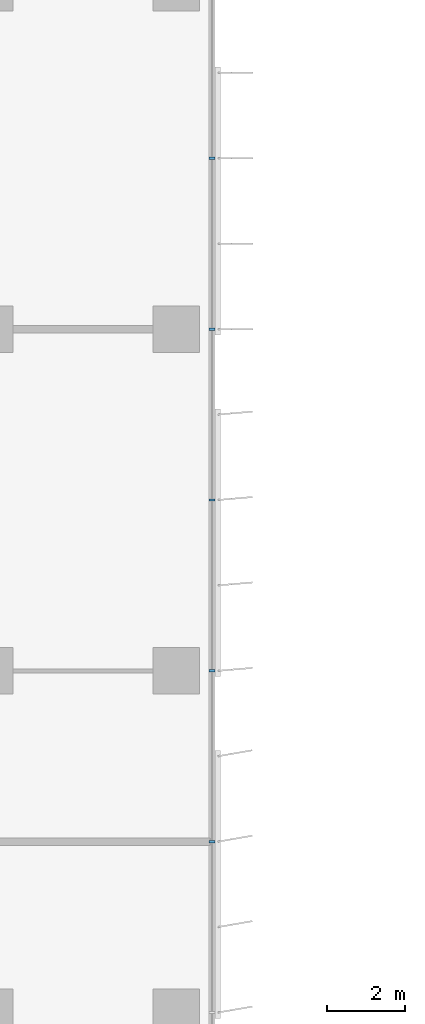
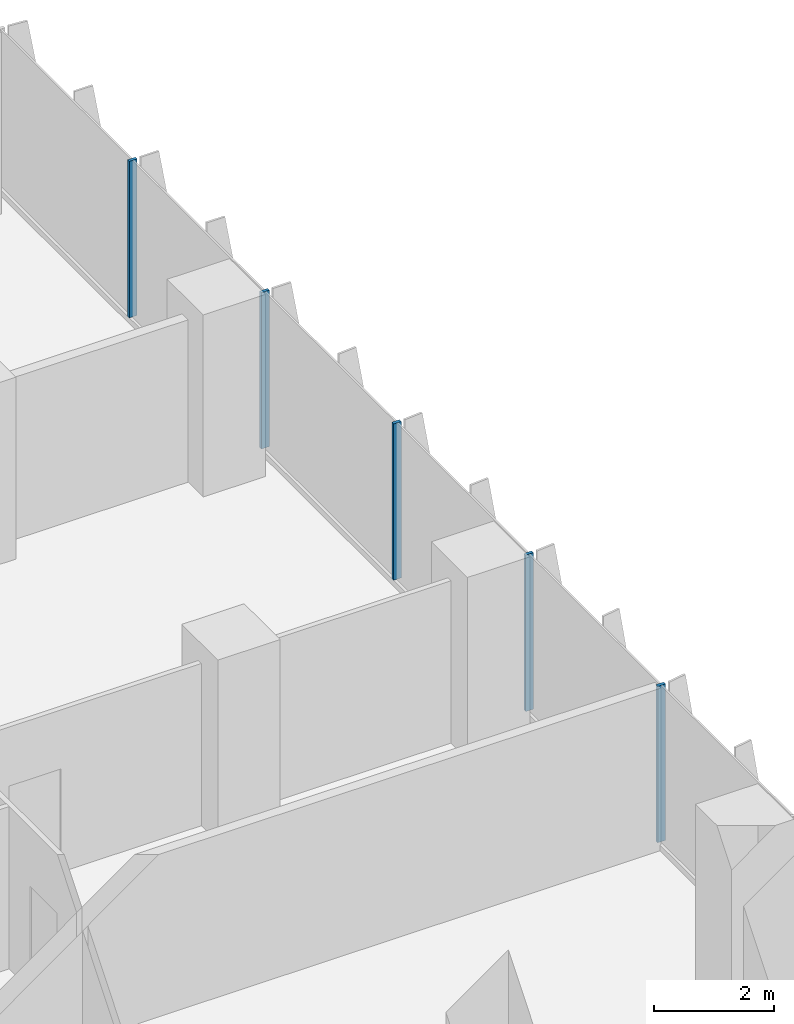
# One storey, part 5 of 22: 5 members, 1 element without a shape of its own.
"""IFC4 building model written with IfcOpenShell, lengths in metres."""

from ifc_helpers import new_model, si_unit, direction, frame, origin, origin_2d, place, context, subcontext, project, spatial, rectangle, extrude, source, transform, mapped, material, material_profile, profile_set, type_object, element, aggregate, save


model = new_model("IFC4")

# Units and contexts
model_context = context("Model", 3, precision=1e-05, world=origin(), true_north=direction((0.0, 1.0)))
body_context = subcontext(model_context, "Body", "Model", "MODEL_VIEW")
ifc_project = project(units=[si_unit("LENGTHUNIT", "METRE"), si_unit("AREAUNIT", "SQUARE_METRE"), si_unit("VOLUMEUNIT", "CUBIC_METRE"), si_unit("PLANEANGLEUNIT", "RADIAN"), si_unit("MASSUNIT", "GRAM", prefix="KILO")], contexts=[model_context])

# Site, building, storey
site_placement = place(None, origin())
site = spatial("IfcSite", under=ifc_project, at=site_placement, CompositionType="ELEMENT")
building_placement = place(site_placement, origin())
building = spatial("IfcBuilding", under=site, at=building_placement, Name="Kemantara Hotel Tower", CompositionType="ELEMENT")
storey_placement = place(building_placement, frame((0.0, 0.0, 98.199951171875)))
storey = spatial("IfcBuildingStorey", under=building, at=storey_placement, Name="L23", CompositionType="ELEMENT", Elevation=98.199951171875)

# Curtain wall, members
ifc_material_1 = material(Name="Low-E tinted double insulated glass 36 mm", Category="glass")
curtain_wall_type = type_object("IfcCurtainWallType", Name="TOWER CURTAIN WALL, FRONT FACES", PredefinedType="USERDEFINED", material=ifc_material_1)
curtain_wall_placement = place(storey_placement, origin())
curtain_wall = element("IfcCurtainWall", 1, at=curtain_wall_placement, inside=storey, type_object=curtain_wall_type, Name="CW4 L23 T2-R14-1", ObjectType="TOWER CURTAIN WALL, FRONT FACES", PredefinedType="USERDEFINED")
ifc_material_2 = material(Name="Aluminium 6063-T6 bronze anodised", Category="aluminium")
ifc_material_profile = material_profile(ifc_material_2, rectangle(XDim=0.14990234375, YDim=0.06005859375, at=origin_2d()), Name="TOWER CURTAIN WALL, FRONT FACES MULLION")
ifc_profile_set = profile_set([ifc_material_profile], Name="Aluminium 6063-T6 bronze anodised")
member_type = type_object("IfcMemberType", Name="TOWER CURTAIN WALL, FRONT FACES MULLION", PredefinedType="MULLION", material=ifc_profile_set)
shared_shape = source(origin(), body_context, "Body", "SweptSolid", [
    extrude(rectangle(XDim=0.14990234375, YDim=0.06005859375, at=origin_2d()), origin(), (0.0, 0.0, 1.0), 3.179931640625),
])
member_1_placement = place(storey_placement, frame((26.72509765625, 31.800048828125, 0.1201171875), z_axis=(0.0, 0.0, 1.0), x_axis=(-1.0, 0.0, 0.0)))
member_1 = element("IfcMember", 2, at=member_1_placement, type_object=member_type, Name="CW4 mullion T2-R14-1.4", PredefinedType="MULLION", context=body_context, shape_type="MappedRepresentation", body=[
    mapped(shared_shape, transform((0.0, 0.0, 0.0))),
])
member_2_placement = place(storey_placement, frame((26.72509765625, 36.199951171875, 0.1201171875), z_axis=(0.0, 0.0, 1.0), x_axis=(-1.0, 0.0, 0.0)))
member_2 = element("IfcMember", 3, at=member_2_placement, type_object=member_type, Name="CW4 mullion T2-R14-1.5", PredefinedType="MULLION", context=body_context, shape_type="MappedRepresentation", body=[
    mapped(shared_shape, transform((0.0, 0.0, 0.0))),
])
member_3_placement = place(storey_placement, frame((26.72509765625, 40.60009765625, 0.1201171875), z_axis=(0.0, 0.0, 1.0), x_axis=(-1.0, 0.0, 0.0)))
member_3 = element("IfcMember", 4, at=member_3_placement, type_object=member_type, Name="CW4 mullion T2-R14-1.6", PredefinedType="MULLION", context=body_context, shape_type="MappedRepresentation", body=[
    mapped(shared_shape, transform((0.0, 0.0, 0.0))),
])
member_4_placement = place(storey_placement, frame((26.72509765625, 45.0, 0.1201171875), z_axis=(0.0, 0.0, 1.0), x_axis=(-1.0, 0.0, 0.0)))
member_4 = element("IfcMember", 5, at=member_4_placement, type_object=member_type, Name="CW4 mullion T2-R14-1.7", PredefinedType="MULLION", context=body_context, shape_type="MappedRepresentation", body=[
    mapped(shared_shape, transform((0.0, 0.0, 0.0))),
])
member_5_placement = place(storey_placement, frame((26.72509765625, 49.39990234375, 0.1201171875), z_axis=(0.0, 0.0, 1.0), x_axis=(-1.0, 0.0, 0.0)))
member_5 = element("IfcMember", 6, at=member_5_placement, type_object=member_type, Name="CW4 mullion T2-R14-1.8", PredefinedType="MULLION", context=body_context, shape_type="MappedRepresentation", body=[
    mapped(shared_shape, transform((0.0, 0.0, 0.0))),
])
aggregate(curtain_wall, [member_1, member_2, member_3, member_4, member_5])

save(model, "model.ifc")
